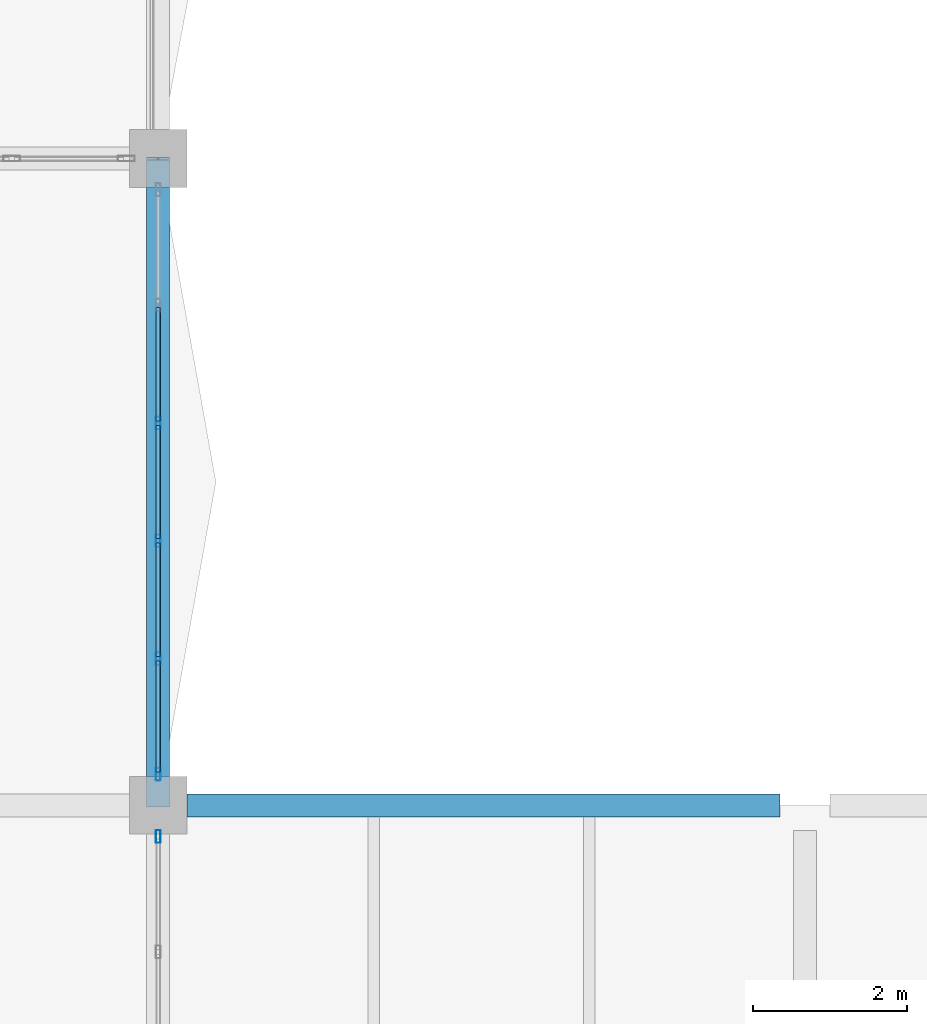
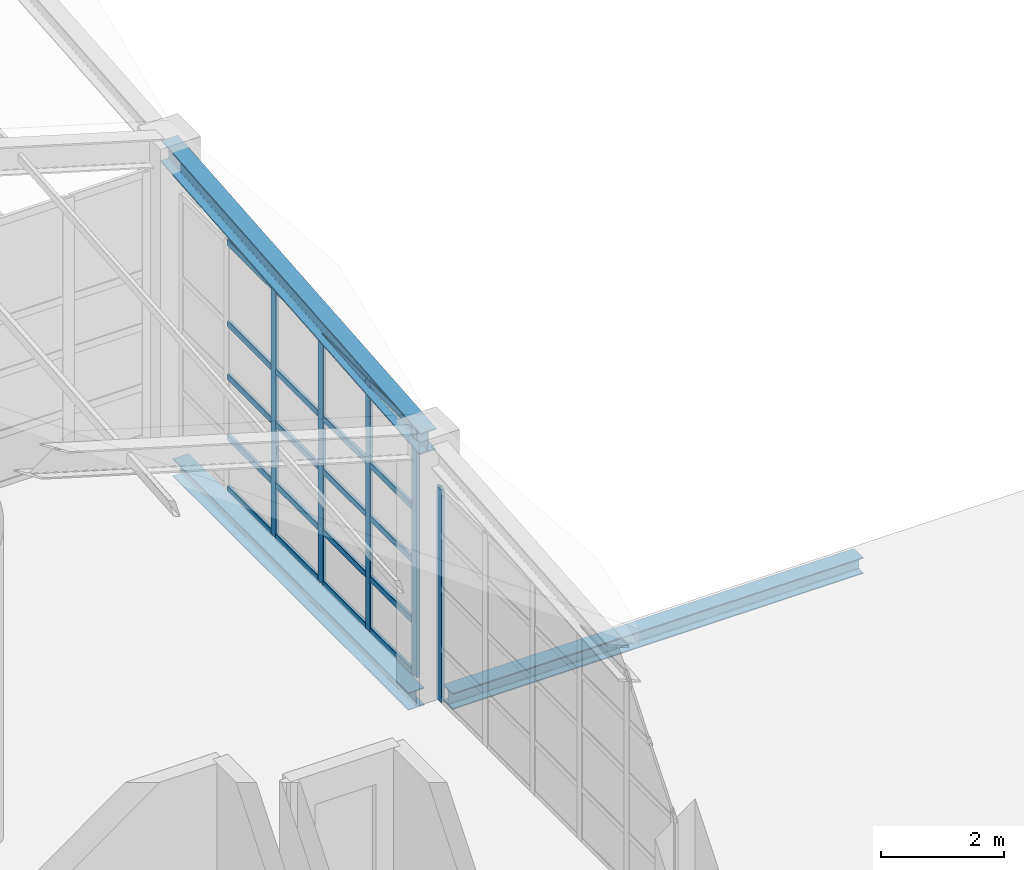
# One storey, part 49 of 95: 26 members, 2 beams, 2 elements without a shape of their own.
"""IFC4 building model written with IfcOpenShell, lengths in metres."""

from ifc_helpers import new_model, si_unit, direction, frame, origin, origin_2d, place, context, subcontext, project, spatial, hollow_rectangle, i_section, extrude, material, layer, layer_set, material_profile, profile_set, type_object, element, aggregate, save


model = new_model("IFC4")

# Units and contexts
model_context = context("Model", 3, precision=1e-05, world=origin(), true_north=direction((0.0, 1.0)))
body_context = subcontext(model_context, "Body", "Model", "MODEL_VIEW")
ifc_project = project(units=[si_unit("LENGTHUNIT", "METRE"), si_unit("AREAUNIT", "SQUARE_METRE"), si_unit("VOLUMEUNIT", "CUBIC_METRE"), si_unit("PLANEANGLEUNIT", "RADIAN"), si_unit("MASSUNIT", "GRAM", prefix="KILO"), si_unit("THERMODYNAMICTEMPERATUREUNIT", "KELVIN"), si_unit("POWERUNIT", "WATT")], contexts=[model_context])

# Site, building, storey
site_placement = place(None, origin())
site = spatial("IfcSite", under=ifc_project, at=site_placement, CompositionType="ELEMENT")
building_placement = place(site_placement, origin())
building = spatial("IfcBuilding", under=site, at=building_placement, Name="Mavoryth Pier Ferry Terminal", CompositionType="ELEMENT")
storey_placement = place(building_placement, frame((0.0, 0.0, 9.60009765625)))
storey = spatial("IfcBuildingStorey", under=building, at=storey_placement, Name="L02", CompositionType="ELEMENT", Elevation=9.60009765625)

# Member
ifc_material_1 = material(Name="Steel S355J2", Category="steel")
ifc_material_profile_1 = material_profile(ifc_material_1, i_section(OverallWidth=0.300048828125, OverallDepth=0.449951171875, WebThickness=0.013916015625, FlangeThickness=0.02587890625, FilletRadius=0.027099609375, at=origin_2d()), Name="HEB 450", Category="steel")
ifc_profile_set_1 = profile_set([ifc_material_profile_1], Name="Steel S355J2 - HEB 450")
member_type_1 = type_object("IfcMemberType", Name="Chord-Eave-HEB450", PredefinedType="CHORD", material=ifc_profile_set_1)
member_1_placement = place(storey_placement, frame((33.60009765625, 97.60009765625, 4.872314453125), z_axis=(0.0, 0.996405760474, 0.084708680154), x_axis=(-1.0, 0.0, 0.0)))
element("IfcMember", 1, at=member_1_placement, inside=storey, type_object=member_type_1, Name="Steel Member MB-L02-0162", PredefinedType="CHORD", context=body_context, shape_type="SweptSolid", body=[
    extrude(i_section(OverallWidth=0.300048828125, OverallDepth=0.449951171875, WebThickness=0.013916015625, FlangeThickness=0.02587890625, FilletRadius=0.027099609375, at=origin_2d()), origin(), (0.0, 0.0, 1.0), 8.43017578125),
])

# Curtain wall, member
ifc_material_2 = material(Name="Anodised Aluminium and Solar-Control Low-E Glass", Category="aluminium")
ifc_layer = layer(ifc_material_2, 0.179931640625, Name="Anodised Aluminium and Solar-Control Low-E Glass", Category="aluminium")
ifc_layer_set = layer_set([ifc_layer], Name="Anodised Aluminium and Solar-Control Low-E Glass - CW-Concourse-Mod1400")
curtain_wall_type = type_object("IfcCurtainWallType", Name="CW-Concourse-Mod1400", PredefinedType="USERDEFINED", material=ifc_layer_set)
curtain_wall_1_placement = place(storey_placement, origin())
curtain_wall_1 = element("IfcCurtainWall", 2, at=curtain_wall_1_placement, inside=storey, type_object=curtain_wall_type, Name="Curtain Wall CW-0222-029", ObjectType="UNITISED CURTAIN WALL", PredefinedType="USERDEFINED")
ifc_material_3 = material(Name="Anodised Aluminium EN AW-6063", Category="aluminium")
ifc_material_profile_2 = material_profile(ifc_material_3, hollow_rectangle(XDim=0.06005859375, YDim=0.1650390625, WallThickness=0.00390625, InnerFilletRadius=0.00390625, OuterFilletRadius=0.008056640625, at=origin_2d()), Name="AL-MULL 165x60x4", Category="aluminium")
ifc_profile_set_2 = profile_set([ifc_material_profile_2], Name="Anodised Aluminium EN AW-6063 - AL-MULL 165x60x4")
member_type_2 = type_object("IfcMemberType", Name="Mullion-Alum-165x60", PredefinedType="MULLION", material=ifc_profile_set_2)
member_2_placement = place(storey_placement, frame((33.60009765625, 97.195068359375, 0.0), z_axis=(0.0, 0.0, 1.0), x_axis=(-1.0, 0.0, 0.0)))
member_2 = element("IfcMember", 3, at=member_2_placement, type_object=member_type_2, Name="CW01 mullion 6", PredefinedType="MULLION", context=body_context, shape_type="SweptSolid", body=[
    extrude(hollow_rectangle(XDim=0.06005859375, YDim=0.1650390625, WallThickness=0.00390625, InnerFilletRadius=0.00390625, OuterFilletRadius=0.008056640625, at=origin_2d()), origin(), (0.0, 0.0, 1.0), 4.2216796875),
])
aggregate(curtain_wall_1, [member_2])

# Curtain wall, members
curtain_wall_2_placement = place(storey_placement, origin())
curtain_wall_2 = element("IfcCurtainWall", 4, at=curtain_wall_2_placement, inside=storey, type_object=curtain_wall_type, Name="Curtain Wall CW-0222-035", ObjectType="UNITISED CURTAIN WALL", PredefinedType="USERDEFINED")
member_3_placement = place(storey_placement, frame((33.60009765625, 98.0048828125, 0.0), z_axis=(0.0, 0.0, 1.0), x_axis=(-1.0, 0.0, 0.0)))
member_3 = element("IfcMember", 5, at=member_3_placement, type_object=member_type_2, Name="CW01 mullion 1", PredefinedType="MULLION", context=body_context, shape_type="SweptSolid", body=[
    extrude(hollow_rectangle(XDim=0.06005859375, YDim=0.1650390625, WallThickness=0.00390625, InnerFilletRadius=0.00390625, OuterFilletRadius=0.008056640625, at=origin_2d()), origin(), (0.0, 0.0, 1.0), 4.93603515625),
])
member_4_placement = place(storey_placement, frame((33.60009765625, 99.5048828125, 0.0), z_axis=(0.0, 0.0, 1.0), x_axis=(-1.0, 0.0, 0.0)))
member_4 = element("IfcMember", 6, at=member_4_placement, type_object=member_type_2, Name="CW01 mullion 2", PredefinedType="MULLION", context=body_context, shape_type="SweptSolid", body=[
    extrude(hollow_rectangle(XDim=0.06005859375, YDim=0.1650390625, WallThickness=0.00390625, InnerFilletRadius=0.00390625, OuterFilletRadius=0.008056640625, at=origin_2d()), origin(), (0.0, 0.0, 1.0), 4.93603515625),
])
member_5_placement = place(storey_placement, frame((33.60009765625, 101.034912109375, 0.0), z_axis=(0.0, 0.0, 1.0), x_axis=(-1.0, 0.0, 0.0)))
member_5 = element("IfcMember", 7, at=member_5_placement, type_object=member_type_2, Name="CW01 mullion 3", PredefinedType="MULLION", context=body_context, shape_type="SweptSolid", body=[
    extrude(hollow_rectangle(XDim=0.06005859375, YDim=0.1650390625, WallThickness=0.00390625, InnerFilletRadius=0.00390625, OuterFilletRadius=0.008056640625, at=origin_2d()), origin(), (0.0, 0.0, 1.0), 4.93603515625),
])
member_6_placement = place(storey_placement, frame((33.60009765625, 102.56494140625, 0.0), z_axis=(0.0, 0.0, 1.0), x_axis=(-1.0, 0.0, 0.0)))
member_6 = element("IfcMember", 8, at=member_6_placement, type_object=member_type_2, Name="CW01 mullion 4", PredefinedType="MULLION", context=body_context, shape_type="SweptSolid", body=[
    extrude(hollow_rectangle(XDim=0.06005859375, YDim=0.1650390625, WallThickness=0.00390625, InnerFilletRadius=0.00390625, OuterFilletRadius=0.008056640625, at=origin_2d()), origin(), (0.0, 0.0, 1.0), 4.93603515625),
])

# Beams
ifc_material_profile_3 = material_profile(ifc_material_1, i_section(OverallWidth=0.300048828125, OverallDepth=0.35009765625, WebThickness=0.010009765625, FlangeThickness=0.017578125, FilletRadius=0.027099609375, at=origin_2d()), Name="HEA 360", Category="steel")
ifc_profile_set_3 = profile_set([ifc_material_profile_3], Name="Steel S355J2 - HEA 360")
beam_type_1 = type_object("IfcBeamType", Name="Spandrel-Steel-HEA360", PredefinedType="SPANDREL", material=ifc_profile_set_3)
beam_1_placement = place(storey_placement, frame((33.60009765625, 97.97509765625, -0.455078125), z_axis=(0.0, 1.0, 0.0), x_axis=(-1.0, 0.0, 0.0)))
element("IfcBeam", 9, at=beam_1_placement, inside=storey, type_object=beam_type_1, Name="Beam B02-SP03-0651", PredefinedType="SPANDREL", context=body_context, shape_type="SweptSolid", body=[
    extrude(i_section(OverallWidth=0.300048828125, OverallDepth=0.35009765625, WebThickness=0.010009765625, FlangeThickness=0.017578125, FilletRadius=0.027099609375, at=origin_2d()), origin(), (0.0, 0.0, 1.0), 7.64990234375),
])
ifc_material_profile_4 = material_profile(ifc_material_1, i_section(OverallWidth=0.300048828125, OverallDepth=0.320068359375, WebThickness=0.011474609375, FlangeThickness=0.0205078125, FilletRadius=0.027099609375, at=origin_2d()), Name="HEB 320", Category="steel")
ifc_profile_set_4 = profile_set([ifc_material_profile_4], Name="Steel S355J2 - HEB 320")
beam_type_2 = type_object("IfcBeamType", Name="Spandrel-Steel-HEB320", PredefinedType="SPANDREL", material=ifc_profile_set_4)
beam_2_placement = place(storey_placement, frame((33.97509765625, 97.60009765625, -0.320068359375), z_axis=(1.0, 0.0, 0.0), x_axis=(0.0, 1.0, 0.0)))
element("IfcBeam", 10, at=beam_2_placement, inside=storey, type_object=beam_type_2, Name="Beam B02-SP04-0689", PredefinedType="SPANDREL", context=body_context, shape_type="SweptSolid", body=[
    extrude(i_section(OverallWidth=0.300048828125, OverallDepth=0.320068359375, WebThickness=0.011474609375, FlangeThickness=0.0205078125, FilletRadius=0.027099609375, at=origin_2d()), origin(), (0.0, 0.0, 1.0), 7.699951171875),
])

# Member
ifc_material_profile_5 = material_profile(ifc_material_3, hollow_rectangle(XDim=0.06005859375, YDim=0.125, WallThickness=0.00390625, InnerFilletRadius=0.00390625, OuterFilletRadius=0.008056640625, at=origin_2d()), Name="AL-TRAN 125x60x4", Category="aluminium")
ifc_profile_set_5 = profile_set([ifc_material_profile_5], Name="Anodised Aluminium EN AW-6063 - AL-TRAN 125x60x4")
member_type_3 = type_object("IfcMemberType", Name="Transom-Alum-125x60", PredefinedType="USERDEFINED", material=ifc_profile_set_5)
member_7_placement = place(storey_placement, frame((33.60009765625, 98.034912109375, 0.02978515625), z_axis=(0.0, 1.0, 0.0), x_axis=(-1.0, 0.0, 0.0)))
member_7 = element("IfcMember", 11, at=member_7_placement, type_object=member_type_3, Name="CW01 transom 1.1", ObjectType="TRANSOM", PredefinedType="USERDEFINED", context=body_context, shape_type="SweptSolid", body=[
    extrude(hollow_rectangle(XDim=0.06005859375, YDim=0.125, WallThickness=0.00390625, InnerFilletRadius=0.00390625, OuterFilletRadius=0.008056640625, at=origin_2d()), origin(), (0.0, 0.0, 1.0), 1.440185546875),
])

member_8_placement = place(storey_placement, frame((33.60009765625, 98.034912109375, 1.0498046875), z_axis=(0.0, 1.0, 0.0), x_axis=(-1.0, 0.0, 0.0)))
member_8 = element("IfcMember", 12, at=member_8_placement, type_object=member_type_3, Name="CW01 transom 1.2", ObjectType="TRANSOM", PredefinedType="USERDEFINED", context=body_context, shape_type="SweptSolid", body=[
    extrude(hollow_rectangle(XDim=0.06005859375, YDim=0.125, WallThickness=0.00390625, InnerFilletRadius=0.00390625, OuterFilletRadius=0.008056640625, at=origin_2d()), origin(), (0.0, 0.0, 1.0), 1.440185546875),
])

member_9_placement = place(storey_placement, frame((33.60009765625, 98.034912109375, 2.25), z_axis=(0.0, 1.0, 0.0), x_axis=(-1.0, 0.0, 0.0)))
member_9 = element("IfcMember", 13, at=member_9_placement, type_object=member_type_3, Name="CW01 transom 1.3", ObjectType="TRANSOM", PredefinedType="USERDEFINED", context=body_context, shape_type="SweptSolid", body=[
    extrude(hollow_rectangle(XDim=0.06005859375, YDim=0.125, WallThickness=0.00390625, InnerFilletRadius=0.00390625, OuterFilletRadius=0.008056640625, at=origin_2d()), origin(), (0.0, 0.0, 1.0), 1.440185546875),
])

member_10_placement = place(storey_placement, frame((33.60009765625, 98.034912109375, 3.2998046875), z_axis=(0.0, 1.0, 0.0), x_axis=(-1.0, 0.0, 0.0)))
member_10 = element("IfcMember", 14, at=member_10_placement, type_object=member_type_3, Name="CW01 transom 1.4", ObjectType="TRANSOM", PredefinedType="USERDEFINED", context=body_context, shape_type="SweptSolid", body=[
    extrude(hollow_rectangle(XDim=0.06005859375, YDim=0.125, WallThickness=0.00390625, InnerFilletRadius=0.00390625, OuterFilletRadius=0.008056640625, at=origin_2d()), origin(), (0.0, 0.0, 1.0), 1.440185546875),
])

member_11_placement = place(storey_placement, frame((33.60009765625, 98.034912109375, 4.906005859375), z_axis=(0.0, 1.0, 0.0), x_axis=(-1.0, 0.0, 0.0)))
member_11 = element("IfcMember", 15, at=member_11_placement, type_object=member_type_3, Name="CW01 transom 1.5", ObjectType="TRANSOM", PredefinedType="USERDEFINED", context=body_context, shape_type="SweptSolid", body=[
    extrude(hollow_rectangle(XDim=0.06005859375, YDim=0.125, WallThickness=0.00390625, InnerFilletRadius=0.00390625, OuterFilletRadius=0.008056640625, at=origin_2d()), origin(), (0.0, 0.0, 1.0), 1.440185546875),
])

member_12_placement = place(storey_placement, frame((33.60009765625, 99.534912109375, 0.02978515625), z_axis=(0.0, 1.0, 0.0), x_axis=(-1.0, 0.0, 0.0)))
member_12 = element("IfcMember", 16, at=member_12_placement, type_object=member_type_3, Name="CW01 transom 2.1", ObjectType="TRANSOM", PredefinedType="USERDEFINED", context=body_context, shape_type="SweptSolid", body=[
    extrude(hollow_rectangle(XDim=0.06005859375, YDim=0.125, WallThickness=0.00390625, InnerFilletRadius=0.00390625, OuterFilletRadius=0.008056640625, at=origin_2d()), origin(), (0.0, 0.0, 1.0), 1.469970703125),
])

member_13_placement = place(storey_placement, frame((33.60009765625, 99.534912109375, 1.0498046875), z_axis=(0.0, 1.0, 0.0), x_axis=(-1.0, 0.0, 0.0)))
member_13 = element("IfcMember", 17, at=member_13_placement, type_object=member_type_3, Name="CW01 transom 2.2", ObjectType="TRANSOM", PredefinedType="USERDEFINED", context=body_context, shape_type="SweptSolid", body=[
    extrude(hollow_rectangle(XDim=0.06005859375, YDim=0.125, WallThickness=0.00390625, InnerFilletRadius=0.00390625, OuterFilletRadius=0.008056640625, at=origin_2d()), origin(), (0.0, 0.0, 1.0), 1.469970703125),
])

member_14_placement = place(storey_placement, frame((33.60009765625, 99.534912109375, 2.25), z_axis=(0.0, 1.0, 0.0), x_axis=(-1.0, 0.0, 0.0)))
member_14 = element("IfcMember", 18, at=member_14_placement, type_object=member_type_3, Name="CW01 transom 2.3", ObjectType="TRANSOM", PredefinedType="USERDEFINED", context=body_context, shape_type="SweptSolid", body=[
    extrude(hollow_rectangle(XDim=0.06005859375, YDim=0.125, WallThickness=0.00390625, InnerFilletRadius=0.00390625, OuterFilletRadius=0.008056640625, at=origin_2d()), origin(), (0.0, 0.0, 1.0), 1.469970703125),
])

member_15_placement = place(storey_placement, frame((33.60009765625, 99.534912109375, 3.2998046875), z_axis=(0.0, 1.0, 0.0), x_axis=(-1.0, 0.0, 0.0)))
member_15 = element("IfcMember", 19, at=member_15_placement, type_object=member_type_3, Name="CW01 transom 2.4", ObjectType="TRANSOM", PredefinedType="USERDEFINED", context=body_context, shape_type="SweptSolid", body=[
    extrude(hollow_rectangle(XDim=0.06005859375, YDim=0.125, WallThickness=0.00390625, InnerFilletRadius=0.00390625, OuterFilletRadius=0.008056640625, at=origin_2d()), origin(), (0.0, 0.0, 1.0), 1.469970703125),
])

member_16_placement = place(storey_placement, frame((33.60009765625, 99.534912109375, 4.906005859375), z_axis=(0.0, 1.0, 0.0), x_axis=(-1.0, 0.0, 0.0)))
member_16 = element("IfcMember", 20, at=member_16_placement, type_object=member_type_3, Name="CW01 transom 2.5", ObjectType="TRANSOM", PredefinedType="USERDEFINED", context=body_context, shape_type="SweptSolid", body=[
    extrude(hollow_rectangle(XDim=0.06005859375, YDim=0.125, WallThickness=0.00390625, InnerFilletRadius=0.00390625, OuterFilletRadius=0.008056640625, at=origin_2d()), origin(), (0.0, 0.0, 1.0), 1.469970703125),
])

member_17_placement = place(storey_placement, frame((33.60009765625, 101.06494140625, 0.02978515625), z_axis=(0.0, 1.0, 0.0), x_axis=(-1.0, 0.0, 0.0)))
member_17 = element("IfcMember", 21, at=member_17_placement, type_object=member_type_3, Name="CW01 transom 3.1", ObjectType="TRANSOM", PredefinedType="USERDEFINED", context=body_context, shape_type="SweptSolid", body=[
    extrude(hollow_rectangle(XDim=0.06005859375, YDim=0.125, WallThickness=0.00390625, InnerFilletRadius=0.00390625, OuterFilletRadius=0.008056640625, at=origin_2d()), origin(), (0.0, 0.0, 1.0), 1.469970703125),
])

member_18_placement = place(storey_placement, frame((33.60009765625, 101.06494140625, 1.0498046875), z_axis=(0.0, 1.0, 0.0), x_axis=(-1.0, 0.0, 0.0)))
member_18 = element("IfcMember", 22, at=member_18_placement, type_object=member_type_3, Name="CW01 transom 3.2", ObjectType="TRANSOM", PredefinedType="USERDEFINED", context=body_context, shape_type="SweptSolid", body=[
    extrude(hollow_rectangle(XDim=0.06005859375, YDim=0.125, WallThickness=0.00390625, InnerFilletRadius=0.00390625, OuterFilletRadius=0.008056640625, at=origin_2d()), origin(), (0.0, 0.0, 1.0), 1.469970703125),
])

member_19_placement = place(storey_placement, frame((33.60009765625, 101.06494140625, 2.25), z_axis=(0.0, 1.0, 0.0), x_axis=(-1.0, 0.0, 0.0)))
member_19 = element("IfcMember", 23, at=member_19_placement, type_object=member_type_3, Name="CW01 transom 3.3", ObjectType="TRANSOM", PredefinedType="USERDEFINED", context=body_context, shape_type="SweptSolid", body=[
    extrude(hollow_rectangle(XDim=0.06005859375, YDim=0.125, WallThickness=0.00390625, InnerFilletRadius=0.00390625, OuterFilletRadius=0.008056640625, at=origin_2d()), origin(), (0.0, 0.0, 1.0), 1.469970703125),
])

member_20_placement = place(storey_placement, frame((33.60009765625, 101.06494140625, 3.2998046875), z_axis=(0.0, 1.0, 0.0), x_axis=(-1.0, 0.0, 0.0)))
member_20 = element("IfcMember", 24, at=member_20_placement, type_object=member_type_3, Name="CW01 transom 3.4", ObjectType="TRANSOM", PredefinedType="USERDEFINED", context=body_context, shape_type="SweptSolid", body=[
    extrude(hollow_rectangle(XDim=0.06005859375, YDim=0.125, WallThickness=0.00390625, InnerFilletRadius=0.00390625, OuterFilletRadius=0.008056640625, at=origin_2d()), origin(), (0.0, 0.0, 1.0), 1.469970703125),
])

member_21_placement = place(storey_placement, frame((33.60009765625, 101.06494140625, 4.906005859375), z_axis=(0.0, 1.0, 0.0), x_axis=(-1.0, 0.0, 0.0)))
member_21 = element("IfcMember", 25, at=member_21_placement, type_object=member_type_3, Name="CW01 transom 3.5", ObjectType="TRANSOM", PredefinedType="USERDEFINED", context=body_context, shape_type="SweptSolid", body=[
    extrude(hollow_rectangle(XDim=0.06005859375, YDim=0.125, WallThickness=0.00390625, InnerFilletRadius=0.00390625, OuterFilletRadius=0.008056640625, at=origin_2d()), origin(), (0.0, 0.0, 1.0), 1.469970703125),
])

member_22_placement = place(storey_placement, frame((33.60009765625, 102.594970703125, 0.02978515625), z_axis=(0.0, 1.0, 0.0), x_axis=(-1.0, 0.0, 0.0)))
member_22 = element("IfcMember", 26, at=member_22_placement, type_object=member_type_3, Name="CW01 transom 4.1", ObjectType="TRANSOM", PredefinedType="USERDEFINED", context=body_context, shape_type="SweptSolid", body=[
    extrude(hollow_rectangle(XDim=0.06005859375, YDim=0.125, WallThickness=0.00390625, InnerFilletRadius=0.00390625, OuterFilletRadius=0.008056640625, at=origin_2d()), origin(), (0.0, 0.0, 1.0), 1.469970703125),
])

member_23_placement = place(storey_placement, frame((33.60009765625, 102.594970703125, 1.0498046875), z_axis=(0.0, 1.0, 0.0), x_axis=(-1.0, 0.0, 0.0)))
member_23 = element("IfcMember", 27, at=member_23_placement, type_object=member_type_3, Name="CW01 transom 4.2", ObjectType="TRANSOM", PredefinedType="USERDEFINED", context=body_context, shape_type="SweptSolid", body=[
    extrude(hollow_rectangle(XDim=0.06005859375, YDim=0.125, WallThickness=0.00390625, InnerFilletRadius=0.00390625, OuterFilletRadius=0.008056640625, at=origin_2d()), origin(), (0.0, 0.0, 1.0), 1.469970703125),
])

member_24_placement = place(storey_placement, frame((33.60009765625, 102.594970703125, 2.25), z_axis=(0.0, 1.0, 0.0), x_axis=(-1.0, 0.0, 0.0)))
member_24 = element("IfcMember", 28, at=member_24_placement, type_object=member_type_3, Name="CW01 transom 4.3", ObjectType="TRANSOM", PredefinedType="USERDEFINED", context=body_context, shape_type="SweptSolid", body=[
    extrude(hollow_rectangle(XDim=0.06005859375, YDim=0.125, WallThickness=0.00390625, InnerFilletRadius=0.00390625, OuterFilletRadius=0.008056640625, at=origin_2d()), origin(), (0.0, 0.0, 1.0), 1.469970703125),
])

member_25_placement = place(storey_placement, frame((33.60009765625, 102.594970703125, 3.2998046875), z_axis=(0.0, 1.0, 0.0), x_axis=(-1.0, 0.0, 0.0)))
member_25 = element("IfcMember", 29, at=member_25_placement, type_object=member_type_3, Name="CW01 transom 4.4", ObjectType="TRANSOM", PredefinedType="USERDEFINED", context=body_context, shape_type="SweptSolid", body=[
    extrude(hollow_rectangle(XDim=0.06005859375, YDim=0.125, WallThickness=0.00390625, InnerFilletRadius=0.00390625, OuterFilletRadius=0.008056640625, at=origin_2d()), origin(), (0.0, 0.0, 1.0), 1.469970703125),
])

member_26_placement = place(storey_placement, frame((33.60009765625, 102.594970703125, 4.906005859375), z_axis=(0.0, 1.0, 0.0), x_axis=(-1.0, 0.0, 0.0)))
member_26 = element("IfcMember", 30, at=member_26_placement, type_object=member_type_3, Name="CW01 transom 4.5", ObjectType="TRANSOM", PredefinedType="USERDEFINED", context=body_context, shape_type="SweptSolid", body=[
    extrude(hollow_rectangle(XDim=0.06005859375, YDim=0.125, WallThickness=0.00390625, InnerFilletRadius=0.00390625, OuterFilletRadius=0.008056640625, at=origin_2d()), origin(), (0.0, 0.0, 1.0), 1.469970703125),
])

aggregate(curtain_wall_2, [member_3, member_4, member_5, member_6, member_7, member_8, member_9, member_10, member_11, member_12, member_13, member_14, member_15, member_16, member_17, member_18, member_19, member_20, member_21, member_22, member_23, member_24, member_25, member_26])

save(model, "model.ifc")
